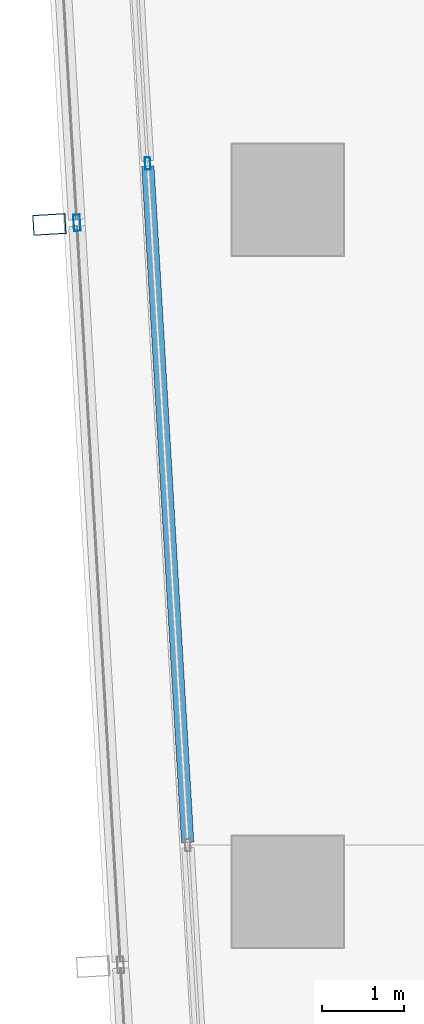
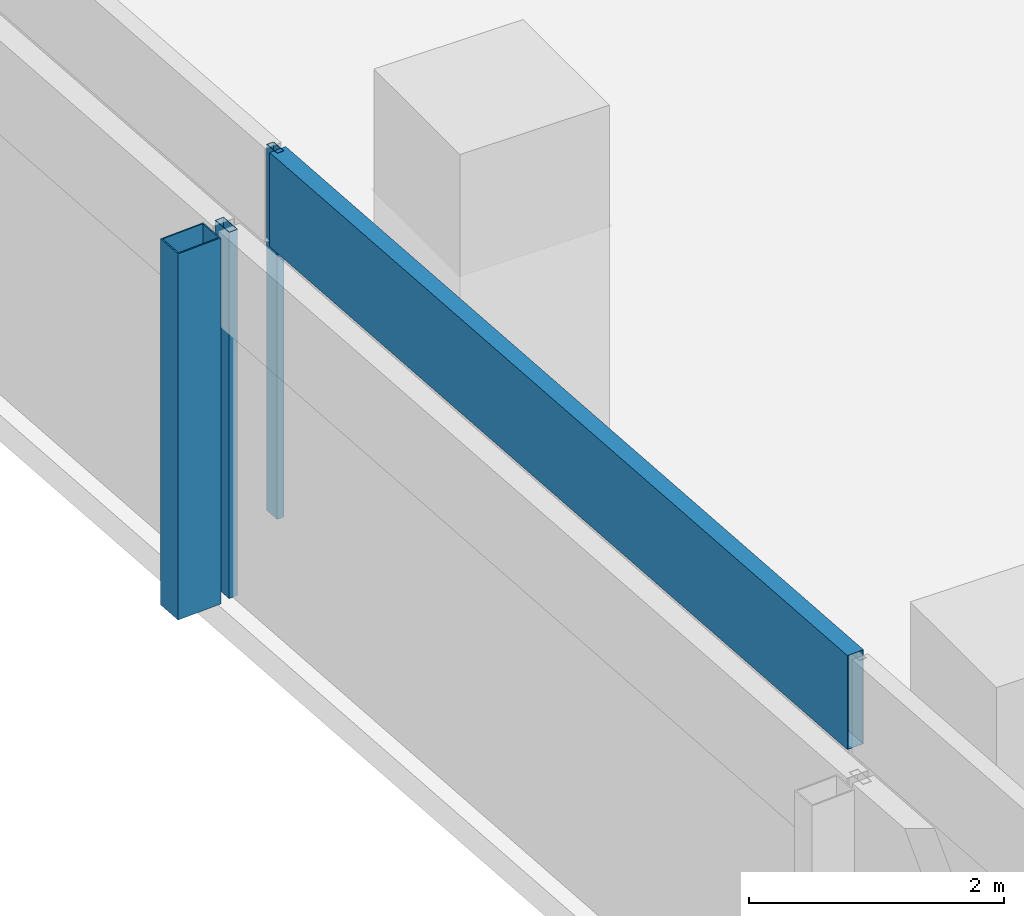
# One storey, part 8 of 40: 4 members, 2 elements without a shape of their own.
"""IFC4 building model written with IfcOpenShell, lengths in metres."""

from ifc_helpers import new_model, si_unit, direction, frame, origin, origin_2d, place, context, subcontext, project, spatial, hollow_rectangle, extrude, material, material_profile, profile_set, type_object, element, aggregate, save


model = new_model("IFC4")

# Units and contexts
model_context = context("Model", 3, precision=1e-05, world=origin(), true_north=direction((0.0, 1.0)))
body_context = subcontext(model_context, "Body", "Model", "MODEL_VIEW")
ifc_project = project(units=[si_unit("LENGTHUNIT", "METRE"), si_unit("AREAUNIT", "SQUARE_METRE"), si_unit("VOLUMEUNIT", "CUBIC_METRE"), si_unit("PLANEANGLEUNIT", "RADIAN"), si_unit("MASSUNIT", "GRAM", prefix="KILO")], contexts=[model_context])

# Site, building, storey
site_placement = place(None, origin())
site = spatial("IfcSite", under=ifc_project, at=site_placement, CompositionType="ELEMENT")
building_placement = place(site_placement, origin())
building = spatial("IfcBuilding", under=site, at=building_placement, Name="Rekha Terrace Tower", CompositionType="ELEMENT")
storey_placement = place(building_placement, frame((0.0, 0.0, 210.199951171875)))
storey = spatial("IfcBuildingStorey", under=building, at=storey_placement, Name="L53", CompositionType="ELEMENT", Elevation=210.199951171875)

# Curtain wall, member
ifc_material_1 = material(Name="Aluminium framing", Category="aluminium")
curtain_wall_type_1 = type_object("IfcCurtainWallType", Name="CW2 double skin outer glazing", PredefinedType="USERDEFINED", material=ifc_material_1)
curtain_wall_1_placement = place(storey_placement, origin())
curtain_wall_1 = element("IfcCurtainWall", 1, at=curtain_wall_1_placement, inside=storey, type_object=curtain_wall_type_1, Name="CW2 double skin outer glazing", ObjectType="DOUBLE SKIN OUTER GLAZING", PredefinedType="USERDEFINED")
ifc_material_2 = material(Name="Steel S355 with fluorocarbon finish", Category="steel")
ifc_material_profile_1 = material_profile(ifc_material_2, hollow_rectangle(XDim=0.25, YDim=0.39990234375, WallThickness=0.012451171875, at=origin_2d()), Name="RHS400x250x12.5")
ifc_profile_set_1 = profile_set([ifc_material_profile_1], Name="Steel S355 with fluorocarbon finish")
member_type_1 = type_object("IfcMemberType", Name="BL1 facade blade RHS 400 x 250", PredefinedType="USERDEFINED", material=ifc_profile_set_1)
member_1_placement = place(storey_placement, frame((5.50634765625, 33.300048828125, 0.0), z_axis=(0.0, 0.0, 1.0), x_axis=(0.058764522885, -0.998271872212, 0.0)))
member_1 = element("IfcMember", 2, at=member_1_placement, type_object=member_type_1, Name="Facade blade", ObjectType="FACADE BLADE", PredefinedType="USERDEFINED", context=body_context, shape_type="SweptSolid", body=[
    extrude(hollow_rectangle(XDim=0.25, YDim=0.39990234375, WallThickness=0.012451171875, at=origin_2d()), origin(), (0.0, 0.0, 1.0), 3.5),
])

# Curtain wall, members
curtain_wall_type_2 = type_object("IfcCurtainWallType", Name="CW1 double skin inner glazing", PredefinedType="USERDEFINED", material=ifc_material_1)
curtain_wall_2_placement = place(storey_placement, origin())
curtain_wall_2 = element("IfcCurtainWall", 3, at=curtain_wall_2_placement, inside=storey, type_object=curtain_wall_type_2, Name="CW1 double skin inner glazing", ObjectType="DOUBLE SKIN INNER GLAZING", PredefinedType="USERDEFINED")
ifc_material_3 = material(Name="Aluminium mullion section", Category="aluminium")
ifc_material_profile_2 = material_profile(ifc_material_3, hollow_rectangle(XDim=0.06494140625, YDim=0.14990234375, WallThickness=0.00390625, at=origin_2d()), Name="AL RHS 65x150")
ifc_profile_set_2 = profile_set([ifc_material_profile_2], Name="Aluminium mullion section")
member_type_2 = type_object("IfcMemberType", Name="CW1 mullion RHS 65 x 150", PredefinedType="MULLION", material=ifc_profile_set_2)
member_2_placement = place(storey_placement, frame((6.69970703125, 34.040283203125, 0.0), z_axis=(0.0, 0.0, 1.0), x_axis=(0.998271839269, 0.058765082516, 0.0)))
member_2 = element("IfcMember", 4, at=member_2_placement, type_object=member_type_2, Name="CW1 mullion 2", PredefinedType="MULLION", context=body_context, shape_type="SweptSolid", body=[
    extrude(hollow_rectangle(XDim=0.06494140625, YDim=0.14990234375, WallThickness=0.00390625, at=origin_2d()), origin(), (0.0, 0.0, 1.0), 3.5),
])
ifc_material_4 = material(Name="Insulated aluminium spandrel box", Category="aluminium")
ifc_material_profile_3 = material_profile(ifc_material_4, hollow_rectangle(XDim=0.14990234375, YDim=0.89990234375, WallThickness=0.0029296875, at=origin_2d()), Name="AL SPANDREL BOX 150x900")
ifc_profile_set_3 = profile_set([ifc_material_profile_3], Name="Insulated aluminium spandrel box")
member_type_3 = type_object("IfcMemberType", Name="CW1 spandrel transom 150 x 900", PredefinedType="USERDEFINED", material=ifc_profile_set_3)
member_3_placement = place(storey_placement, frame((6.70166015625, 34.0078125, 3.050048828125), z_axis=(0.058782934148, -0.99827078824, 0.0), x_axis=(0.99827078824, 0.058782934148, 0.0)))
member_3 = element("IfcMember", 5, at=member_3_placement, type_object=member_type_3, Name="CW1 spandrel transom 2", ObjectType="TRANSOM", PredefinedType="USERDEFINED", context=body_context, shape_type="SweptSolid", body=[
    extrude(hollow_rectangle(XDim=0.14990234375, YDim=0.89990234375, WallThickness=0.0029296875, at=origin_2d()), origin(), (0.0, 0.0, 1.0), 8.223388671875),
])
aggregate(curtain_wall_2, [member_2, member_3])

# Member
ifc_material_profile_4 = material_profile(ifc_material_3, hollow_rectangle(XDim=0.080078125, YDim=0.199951171875, WallThickness=0.00390625, at=origin_2d()), Name="AL RHS 80x200")
ifc_profile_set_4 = profile_set([ifc_material_profile_4], Name="Aluminium mullion section")
member_type_4 = type_object("IfcMemberType", Name="CW2 mullion RHS 80 x 200", PredefinedType="MULLION", material=ifc_profile_set_4)
member_4_placement = place(storey_placement, frame((5.840576171875, 33.31982421875, 0.0), z_axis=(0.0, 0.0, 1.0), x_axis=(0.99827183927, 0.058765082499, 0.0)))
member_4 = element("IfcMember", 6, at=member_4_placement, type_object=member_type_4, Name="CW2 mullion 2", PredefinedType="MULLION", context=body_context, shape_type="SweptSolid", body=[
    extrude(hollow_rectangle(XDim=0.080078125, YDim=0.199951171875, WallThickness=0.00390625, at=origin_2d()), origin(), (0.0, 0.0, 1.0), 3.5),
])

aggregate(curtain_wall_1, [member_4, member_1])

save(model, "model.ifc")
